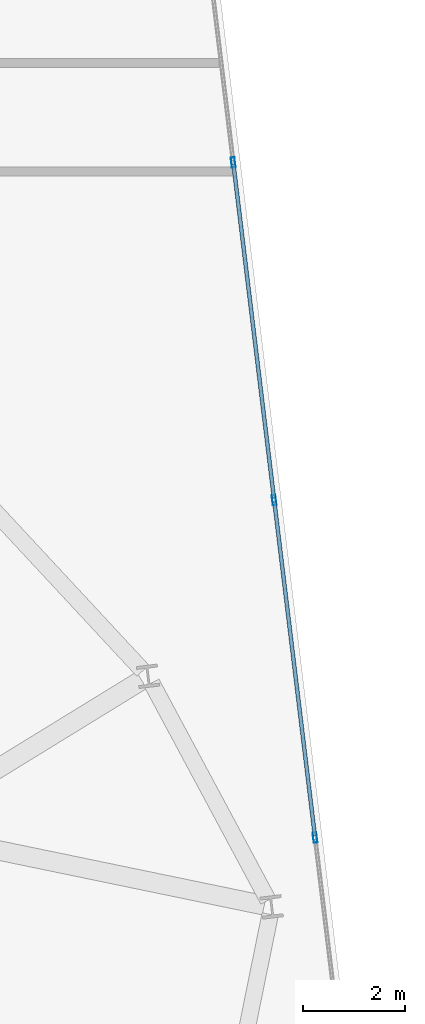
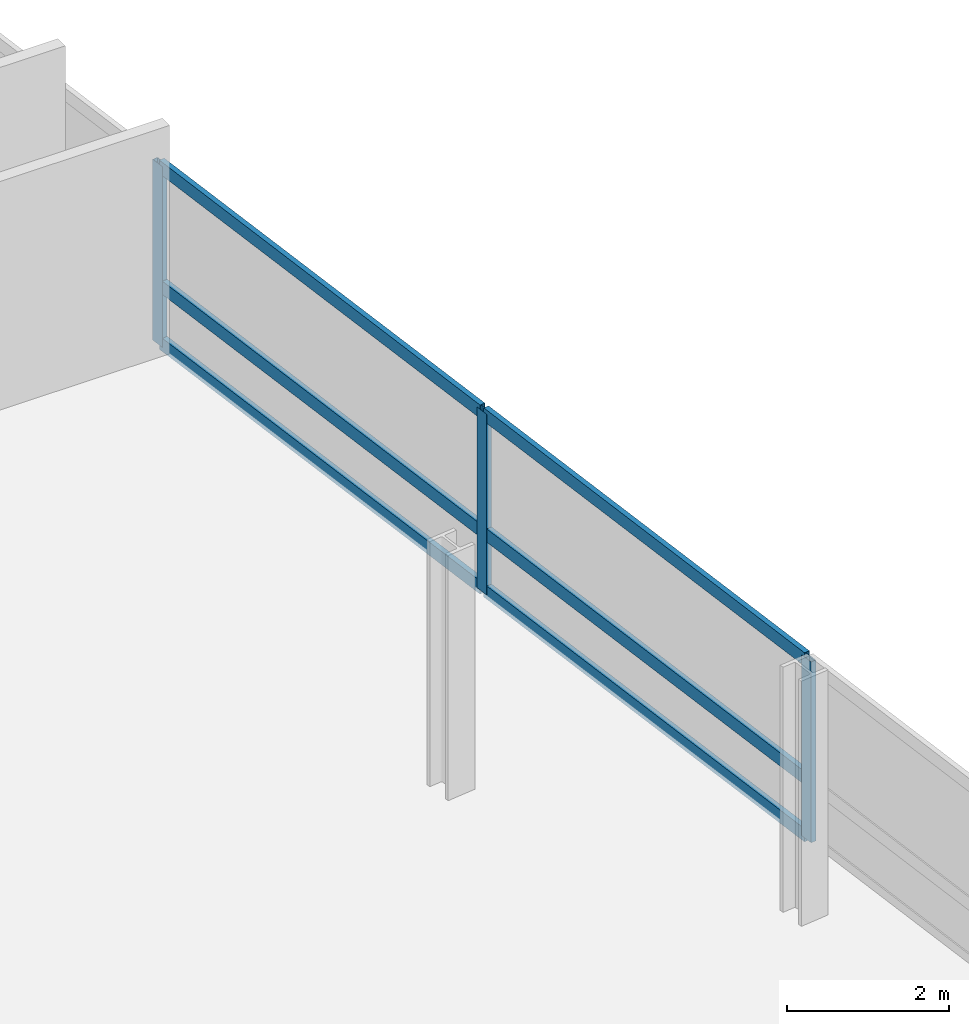
# One storey, part 11 of 23: 9 members, 1 element without a shape of its own.
"""IFC4 building model written with IfcOpenShell, lengths in metres."""

from ifc_helpers import new_model, si_unit, direction, frame, origin, origin_2d, place, context, subcontext, project, spatial, hollow_rectangle, extrude, material, layer, layer_set, material_profile, profile_set, type_object, element, aggregate, save


model = new_model("IFC4")

# Units and contexts
model_context = context("Model", 3, precision=1e-05, world=origin(), true_north=direction((0.0, 1.0)))
body_context = subcontext(model_context, "Body", "Model", "MODEL_VIEW")
ifc_project = project(units=[si_unit("LENGTHUNIT", "METRE"), si_unit("AREAUNIT", "SQUARE_METRE"), si_unit("VOLUMEUNIT", "CUBIC_METRE"), si_unit("PLANEANGLEUNIT", "RADIAN"), si_unit("MASSUNIT", "GRAM", prefix="KILO")], contexts=[model_context])

# Site, building, storey
site_placement = place(None, origin())
site = spatial("IfcSite", under=ifc_project, at=site_placement, CompositionType="ELEMENT")
building_placement = place(site_placement, origin())
building = spatial("IfcBuilding", under=site, at=building_placement, Name="Varnelok Gate Tower", CompositionType="ELEMENT")
storey_placement = place(building_placement, frame((0.0, 0.0, 174.60009765625)))
storey = spatial("IfcBuildingStorey", under=building, at=storey_placement, Name="L44", CompositionType="ELEMENT", Elevation=174.60009765625)

# Curtain wall, members
ifc_material = material(Name="Anodized Aluminum Alloy 6063-T6", Category="aluminium")
ifc_layer = layer(ifc_material, 0.179931640625)
ifc_layer_set = layer_set([ifc_layer], Name="Anodized Aluminum Alloy 6063-T6")
curtain_wall_type = type_object("IfcCurtainWallType", Name="CW4-RESIDENCE-VISION", PredefinedType="USERDEFINED", material=ifc_layer_set)
curtain_wall_placement = place(storey_placement, origin())
curtain_wall = element("IfcCurtainWall", 1, at=curtain_wall_placement, inside=storey, type_object=curtain_wall_type, Name="L44 East End Vision Curtain Wall", ObjectType="UNITISED CURTAIN WALL", PredefinedType="USERDEFINED")
ifc_material_profile_1 = material_profile(ifc_material, hollow_rectangle(XDim=0.074951171875, YDim=0.199951171875, WallThickness=0.00390625, at=origin_2d()), Name="ALU200X75X4")
ifc_profile_set_1 = profile_set([ifc_material_profile_1], Name="Anodized Aluminum Alloy 6063-T6")
member_type_1 = type_object("IfcMemberType", Name="CW-MULL-200", PredefinedType="MULLION", material=ifc_profile_set_1)
member_1_placement = place(storey_placement, frame((72.898681640625, 39.478515625, 0.0), z_axis=(0.0, 0.0, 1.0), x_axis=(0.992732188751, 0.120344511371, 0.0)))
member_1 = element("IfcMember", 2, at=member_1_placement, type_object=member_type_1, Name="CW4 mullion 2", PredefinedType="MULLION", context=body_context, shape_type="SweptSolid", body=[
    extrude(hollow_rectangle(XDim=0.074951171875, YDim=0.199951171875, WallThickness=0.00390625, at=origin_2d()), origin(), (0.0, 0.0, 1.0), 2.72998046875),
])
member_2_placement = place(storey_placement, frame((73.702392578125, 32.846923828125, 0.0), z_axis=(0.0, 0.0, 1.0), x_axis=(0.992732188751, 0.120344511371, 0.0)))
member_2 = element("IfcMember", 3, at=member_2_placement, type_object=member_type_1, Name="CW4 mullion 3", PredefinedType="MULLION", context=body_context, shape_type="SweptSolid", body=[
    extrude(hollow_rectangle(XDim=0.074951171875, YDim=0.199951171875, WallThickness=0.00390625, at=origin_2d()), origin(), (0.0, 0.0, 1.0), 2.72998046875),
])
member_3_placement = place(storey_placement, frame((74.50634765625, 26.215576171875, 0.0), z_axis=(0.0, 0.0, 1.0), x_axis=(0.992732188751, 0.120344511371, 0.0)))
member_3 = element("IfcMember", 4, at=member_3_placement, type_object=member_type_1, Name="CW4 mullion 4", PredefinedType="MULLION", context=body_context, shape_type="SweptSolid", body=[
    extrude(hollow_rectangle(XDim=0.074951171875, YDim=0.199951171875, WallThickness=0.00390625, at=origin_2d()), origin(), (0.0, 0.0, 1.0), 2.72998046875),
])
ifc_material_profile_2 = material_profile(ifc_material, hollow_rectangle(XDim=0.074951171875, YDim=0.199951171875, WallThickness=0.00390625, at=origin_2d()), Name="ALU200X75X4")
ifc_profile_set_2 = profile_set([ifc_material_profile_2], Name="Anodized Aluminum Alloy 6063-T6")
member_type_2 = type_object("IfcMemberType", Name="CW-TRAN-200", PredefinedType="USERDEFINED", material=ifc_profile_set_2)
member_4_placement = place(storey_placement, frame((72.903076171875, 39.441162109375, 0.037353515625), z_axis=(0.120353445289, -0.992731105691, 0.0), x_axis=(0.992731105691, 0.120353445289, 0.0)))
member_4 = element("IfcMember", 5, at=member_4_placement, type_object=member_type_2, Name="CW4 transom 2.1", ObjectType="TRANSOM", PredefinedType="USERDEFINED", context=body_context, shape_type="SweptSolid", body=[
    extrude(hollow_rectangle(XDim=0.074951171875, YDim=0.199951171875, WallThickness=0.00390625, at=origin_2d()), origin(), (0.0, 0.0, 1.0), 6.60498046875),
])
member_5_placement = place(storey_placement, frame((72.903076171875, 39.441162109375, 0.89990234375), z_axis=(0.120353445289, -0.992731105691, 0.0), x_axis=(0.992731105691, 0.120353445289, 0.0)))
member_5 = element("IfcMember", 6, at=member_5_placement, type_object=member_type_2, Name="CW4 transom 2.2", ObjectType="TRANSOM", PredefinedType="USERDEFINED", context=body_context, shape_type="SweptSolid", body=[
    extrude(hollow_rectangle(XDim=0.074951171875, YDim=0.199951171875, WallThickness=0.00390625, at=origin_2d()), origin(), (0.0, 0.0, 1.0), 6.60498046875),
])
member_6_placement = place(storey_placement, frame((72.903076171875, 39.441162109375, 2.6923828125), z_axis=(0.120353445289, -0.992731105691, 0.0), x_axis=(0.992731105691, 0.120353445289, 0.0)))
member_6 = element("IfcMember", 7, at=member_6_placement, type_object=member_type_2, Name="CW4 transom 2.3", ObjectType="TRANSOM", PredefinedType="USERDEFINED", context=body_context, shape_type="SweptSolid", body=[
    extrude(hollow_rectangle(XDim=0.074951171875, YDim=0.199951171875, WallThickness=0.00390625, at=origin_2d()), origin(), (0.0, 0.0, 1.0), 6.60498046875),
])
member_7_placement = place(storey_placement, frame((73.70703125, 32.809814453125, 0.037353515625), z_axis=(0.120349029092, -0.992731641078, 0.0), x_axis=(0.992731641078, 0.120349029092, 0.0)))
member_7 = element("IfcMember", 8, at=member_7_placement, type_object=member_type_2, Name="CW4 transom 3.1", ObjectType="TRANSOM", PredefinedType="USERDEFINED", context=body_context, shape_type="SweptSolid", body=[
    extrude(hollow_rectangle(XDim=0.074951171875, YDim=0.199951171875, WallThickness=0.00390625, at=origin_2d()), origin(), (0.0, 0.0, 1.0), 6.605224609375),
])
member_8_placement = place(storey_placement, frame((73.70703125, 32.809814453125, 0.89990234375), z_axis=(0.120349029092, -0.992731641078, 0.0), x_axis=(0.992731641078, 0.120349029092, 0.0)))
member_8 = element("IfcMember", 9, at=member_8_placement, type_object=member_type_2, Name="CW4 transom 3.2", ObjectType="TRANSOM", PredefinedType="USERDEFINED", context=body_context, shape_type="SweptSolid", body=[
    extrude(hollow_rectangle(XDim=0.074951171875, YDim=0.199951171875, WallThickness=0.00390625, at=origin_2d()), origin(), (0.0, 0.0, 1.0), 6.605224609375),
])
member_9_placement = place(storey_placement, frame((73.70703125, 32.809814453125, 2.6923828125), z_axis=(0.120349029092, -0.992731641078, 0.0), x_axis=(0.992731641078, 0.120349029092, 0.0)))
member_9 = element("IfcMember", 10, at=member_9_placement, type_object=member_type_2, Name="CW4 transom 3.3", ObjectType="TRANSOM", PredefinedType="USERDEFINED", context=body_context, shape_type="SweptSolid", body=[
    extrude(hollow_rectangle(XDim=0.074951171875, YDim=0.199951171875, WallThickness=0.00390625, at=origin_2d()), origin(), (0.0, 0.0, 1.0), 6.605224609375),
])
aggregate(curtain_wall, [member_1, member_2, member_3, member_4, member_5, member_6, member_7, member_8, member_9])

save(model, "model.ifc")
